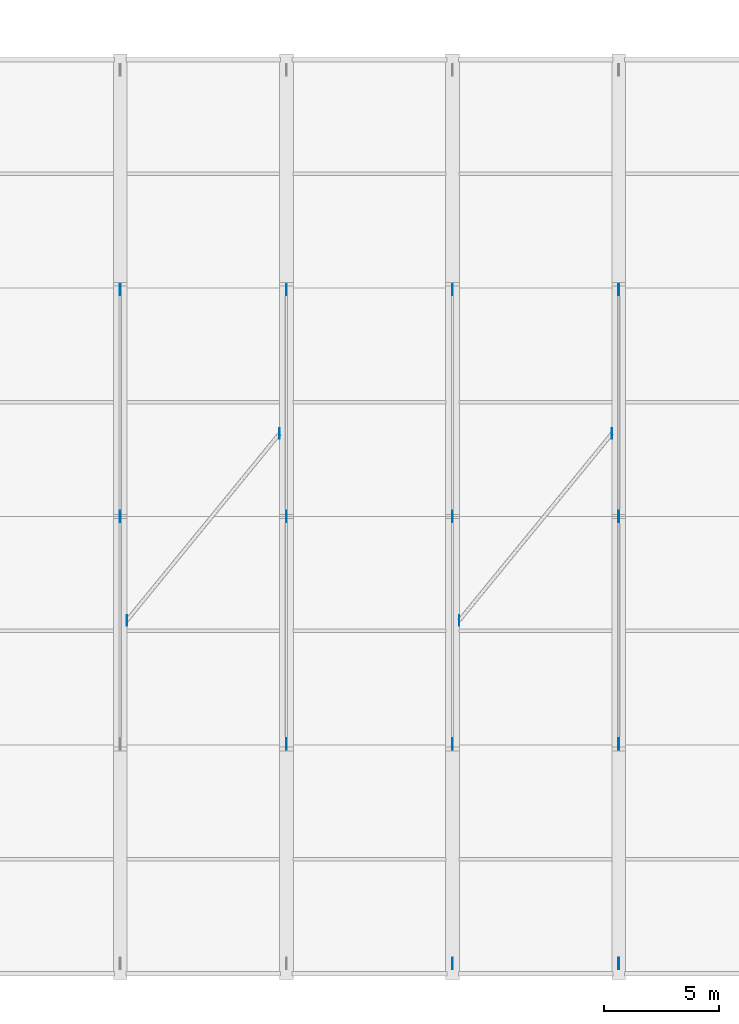
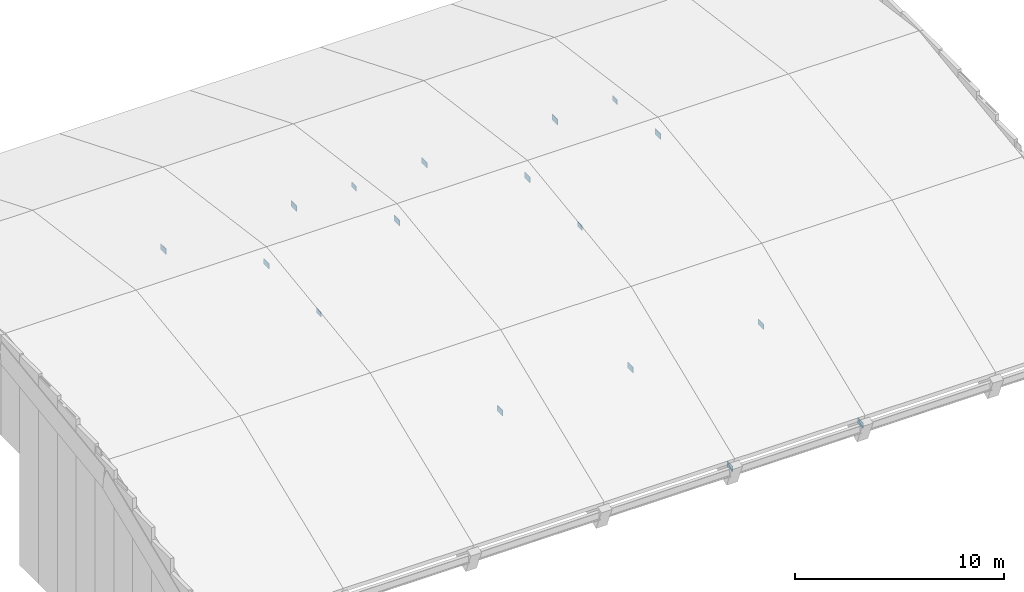
# One storey, part 16 of 22: 17 plates.
"""IFC4 building model written with IfcOpenShell, lengths in metres."""

from ifc_helpers import new_model, si_unit, direction, frame, origin, origin_2d, place, context, subcontext, project, spatial, rectangle, extrude, material, layer, layer_set, type_object, element, save


model = new_model("IFC4")

# Units and contexts
model_context = context("Model", 3, precision=1e-05, world=origin(), true_north=direction((0.0, 1.0)))
body_context = subcontext(model_context, "Body", "Model", "MODEL_VIEW")
ifc_project = project(units=[si_unit("LENGTHUNIT", "METRE"), si_unit("AREAUNIT", "SQUARE_METRE"), si_unit("VOLUMEUNIT", "CUBIC_METRE"), si_unit("PLANEANGLEUNIT", "RADIAN"), si_unit("MASSUNIT", "GRAM", prefix="KILO")], contexts=[model_context])

# Site, building, storey
site_placement = place(None, origin())
site = spatial("IfcSite", under=ifc_project, at=site_placement, CompositionType="ELEMENT")
building_placement = place(site_placement, origin())
building = spatial("IfcBuilding", under=site, at=building_placement, Name="Lusvemor Sports Hall", CompositionType="ELEMENT")
storey_placement = place(building_placement, frame((0.0, 0.0, 23.39990234375)))
storey = spatial("IfcBuildingStorey", under=building, at=storey_placement, Name="Roof", CompositionType="ELEMENT", Elevation=23.39990234375)

# Plates
ifc_material_1 = material(Name="Steel S355", Category="steel")
ifc_layer_1 = layer(ifc_material_1, 0.030029296875)
ifc_layer_set_1 = layer_set([ifc_layer_1], Name="Steel S355")
plate_type_1 = type_object("IfcPlateType", Name="GUSSET_ARCH_B", PredefinedType="USERDEFINED", material=ifc_layer_set_1)
for number, where, z_axis, x_axis, name in (
    (1, (133.199951171875, 29.64990234375, -2.474853515625), (0.0, 0.0, 1.0), (1.0, 0.0, 0.0), "East Arch Web Gusset 15-RF"),
    (2, (133.199951171875, 19.800048828125, 2.64501953125), (0.0, 0.0, 1.0), (1.0, 0.0, 0.0), "East Arch Web Gusset 15-CR"),
    (3, (140.39990234375, 9.949951171875, -2.474853515625), (0.0, 0.0, 1.0), (1.0, 0.0, 0.0), "East Arch Web Gusset 16-LF"),
    (4, (140.39990234375, 29.64990234375, -2.474853515625), (0.0, 0.0, 1.0), (1.0, 0.0, 0.0), "East Arch Web Gusset 16-RF"),
    (5, (140.39990234375, 19.800048828125, 2.64501953125), (0.0, 0.0, 1.0), (1.0, 0.0, 0.0), "East Arch Web Gusset 16-CR"),
    (6, (147.60009765625, 0.43994140625, -2.474853515625), (0.0, 0.0, 1.0), (1.0, 0.0, 0.0), "East Arch Springing Gusset 17-S"),
    (7, (147.60009765625, 9.949951171875, -2.474853515625), (0.0, 0.0, 1.0), (1.0, 0.0, 0.0), "East Arch Web Gusset 17-LF"),
    (8, (147.60009765625, 29.64990234375, -2.474853515625), (0.0, 0.0, 1.0), (1.0, 0.0, 0.0), "East Arch Web Gusset 17-RF"),
    (9, (147.60009765625, 19.800048828125, 2.64501953125), (0.0, 0.0, 1.0), (1.0, 0.0, 0.0), "East Arch Web Gusset 17-CR"),
    (10, (154.800048828125, 0.43994140625, -2.474853515625), (0.0, 0.0, 1.0), (1.0, 0.0, 0.0), "East Arch Springing Gusset 18-S"),
    (11, (154.800048828125, 9.949951171875, -2.474853515625), (0.0, 0.0, 1.0), (1.0, 0.0, 0.0), "East Arch Web Gusset 18-LF"),
    (12, (154.800048828125, 29.64990234375, -2.474853515625), (0.0, 0.0, 1.0), (1.0, 0.0, 0.0), "East Arch Web Gusset 18-RF"),
    (13, (154.800048828125, 19.800048828125, 2.64501953125), (0.0, 0.0, 1.0), (1.0, 0.0, 0.0), "East Arch Web Gusset 18-CR"),
):
    element("IfcPlate", number, at=place(storey_placement, frame(where, z_axis=z_axis, x_axis=x_axis)), inside=storey, type_object=plate_type_1, Name=name, ObjectType="GUSSET_PLATE", PredefinedType="USERDEFINED", context=body_context, shape_type="SweptSolid", body=[
        extrude(rectangle(XDim=0.030029296875, YDim=0.5, at=origin_2d()), origin(), (0.0, 0.0, 1.0), 0.330078125),
    ])
ifc_material_2 = material(Name="Steel S355", Category="steel")
ifc_layer_2 = layer(ifc_material_2, 0.02001953125)
ifc_layer_set_2 = layer_set([ifc_layer_2], Name="Steel S355")
plate_type_2 = type_object("IfcPlateType", Name="GUSSET_BRACE_C", PredefinedType="USERDEFINED", material=ifc_layer_set_2)
for number, where, z_axis, x_axis, name in (
    (14, (133.489990234375, 15.300048828125, 2.466064453125), (0.0, 0.0, 1.0), (1.0, 0.0, 0.0), "East Vault Brace Gusset 15-0"),
    (15, (140.110107421875, 23.39990234375, 2.566650390625), (0.0, 0.0, 1.0), (1.0, 0.0, 0.0), "East Vault Brace Gusset 15-1"),
    (16, (147.889892578125, 15.300048828125, 2.466064453125), (0.0, 0.0, 1.0), (1.0, 0.0, 0.0), "East Vault Brace Gusset 17-0"),
    (17, (154.510009765625, 23.39990234375, 2.566650390625), (0.0, 0.0, 1.0), (1.0, 0.0, 0.0), "East Vault Brace Gusset 17-1"),
):
    element("IfcPlate", number, at=place(storey_placement, frame(where, z_axis=z_axis, x_axis=x_axis)), inside=storey, type_object=plate_type_2, Name=name, ObjectType="GUSSET_PLATE", PredefinedType="USERDEFINED", context=body_context, shape_type="SweptSolid", body=[
        extrude(rectangle(XDim=0.02001953125, YDim=0.43994140625, at=origin_2d()), origin(), (0.0, 0.0, 1.0), 0.2900390625),
    ])

save(model, "model.ifc")
